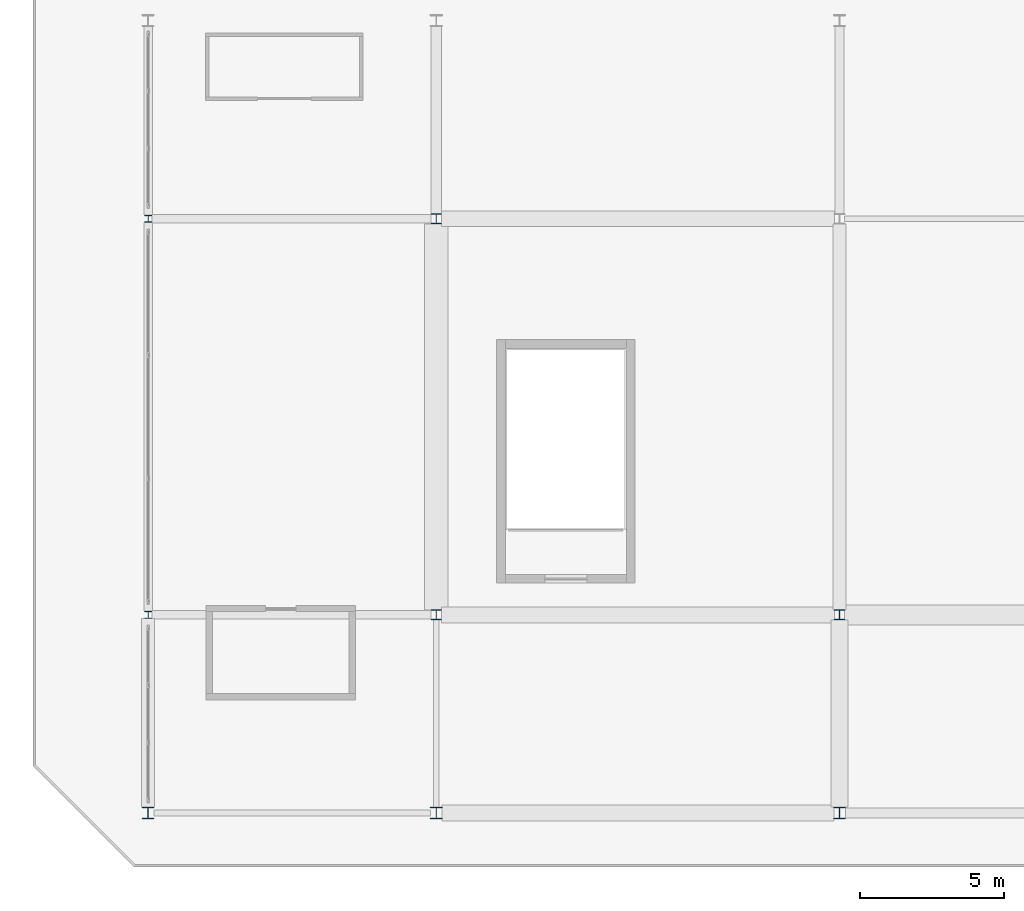
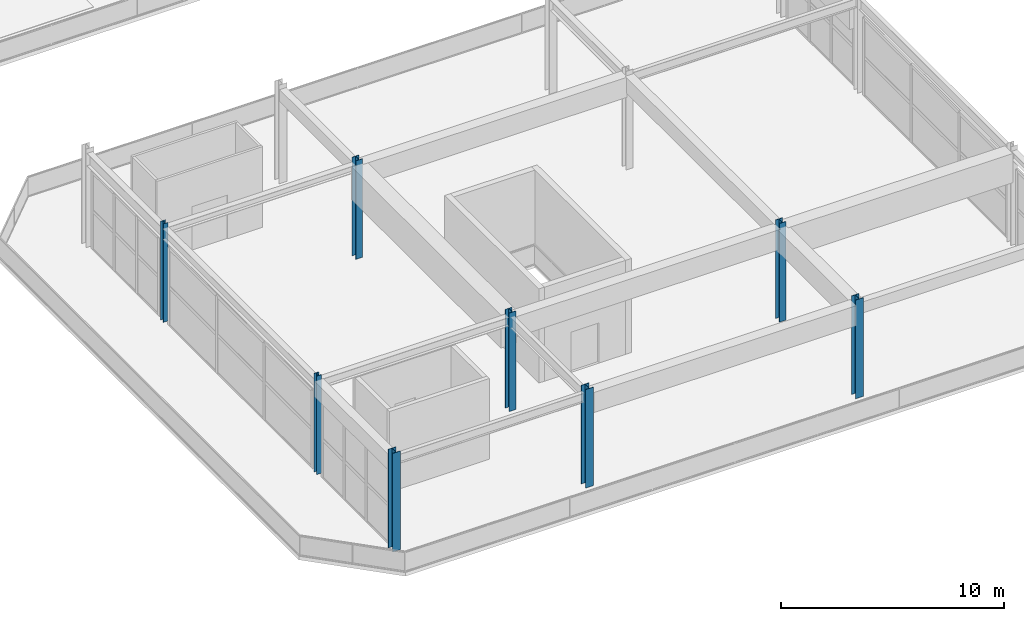
# One storey, part 1 of 117: 8 columns.
"""IFC4 building model written with IfcOpenShell, lengths in metres."""

from ifc_helpers import new_model, si_unit, direction, frame, origin, origin_2d, place, context, subcontext, project, spatial, i_section, extrude, material, material_profile, profile_set, type_object, element, save


model = new_model("IFC4")

# Units and contexts
model_context = context("Model", 3, precision=1e-05, world=origin(), true_north=direction((0.0, 1.0)))
body_context = subcontext(model_context, "Body", "Model", "MODEL_VIEW")
ifc_project = project(units=[si_unit("LENGTHUNIT", "METRE"), si_unit("AREAUNIT", "SQUARE_METRE"), si_unit("VOLUMEUNIT", "CUBIC_METRE"), si_unit("PLANEANGLEUNIT", "RADIAN"), si_unit("MASSUNIT", "GRAM", prefix="KILO")], contexts=[model_context])

# Site, building, storey
site_placement = place(None, origin())
site = spatial("IfcSite", under=ifc_project, at=site_placement, CompositionType="ELEMENT")
building_placement = place(site_placement, origin())
building = spatial("IfcBuilding", under=site, at=building_placement, Name="Linyun Crest Stadium", CompositionType="ELEMENT")
storey_placement = place(building_placement, frame((0.0, 0.0, 6.0)))
storey = spatial("IfcBuildingStorey", under=building, at=storey_placement, Name="L02", CompositionType="ELEMENT", Elevation=6.0)

# Columns
ifc_material_1 = material(Name="Steel Q355C", Category="steel")
ifc_material_profile_1 = material_profile(ifc_material_1, i_section(OverallWidth=0.35009765625, OverallDepth=0.35009765625, WebThickness=0.011962890625, FlangeThickness=0.01904296875, at=origin_2d()), Name="HW 350x350")
ifc_profile_set_1 = profile_set([ifc_material_profile_1], Name="Steel Q355C")
column_type_1 = type_object("IfcColumnType", Name="SC01", PredefinedType="COLUMN", material=ifc_profile_set_1)
for number, where, z_axis, x_axis, name in (
    (1, (-84.0, -87.25, 0.0), (0.0, 0.0, 1.0), (1.0, 0.0, 0.0), "Column SC01 L02 867"),
    (2, (-84.0, -73.5, 0.0), (0.0, 0.0, 1.0), (1.0, 0.0, 0.0), "Column SC01 L02 870"),
    (3, (-70.0, -87.25, 0.0), (0.0, 0.0, 1.0), (1.0, 0.0, 0.0), "Column SC01 L02 879"),
):
    element("IfcColumn", number, at=place(storey_placement, frame(where, z_axis=z_axis, x_axis=x_axis)), inside=storey, type_object=column_type_1, Name=name, PredefinedType="COLUMN", context=body_context, shape_type="SweptSolid", body=[
        extrude(i_section(OverallWidth=0.35009765625, OverallDepth=0.35009765625, WebThickness=0.011962890625, FlangeThickness=0.01904296875, at=origin_2d()), origin(), (0.0, 0.0, 1.0), 5.39990234375),
    ])
ifc_material_2 = material(Name="Steel Q355C", Category="steel")
ifc_material_profile_2 = material_profile(ifc_material_2, i_section(OverallWidth=0.39990234375, OverallDepth=0.39990234375, WebThickness=0.012939453125, FlangeThickness=0.02099609375, at=origin_2d()), Name="HW 400x400")
ifc_profile_set_2 = profile_set([ifc_material_profile_2], Name="Steel Q355C")
column_type_2 = type_object("IfcColumnType", Name="SC02", PredefinedType="COLUMN", material=ifc_profile_set_2)
for number, where, z_axis, x_axis, name in (
    (4, (-94.0, -94.125, 0.0), (0.0, 0.0, 1.0), (1.0, 0.0, 0.0), "Column SC02 L02 852"),
    (5, (-84.0, -94.125, 0.0), (0.0, 0.0, 1.0), (1.0, 0.0, 0.0), "Column SC02 L02 864"),
    (6, (-70.0, -94.125, 0.0), (0.0, 0.0, 1.0), (1.0, 0.0, 0.0), "Column SC02 L02 876"),
):
    element("IfcColumn", number, at=place(storey_placement, frame(where, z_axis=z_axis, x_axis=x_axis)), inside=storey, type_object=column_type_2, Name=name, PredefinedType="COLUMN", context=body_context, shape_type="SweptSolid", body=[
        extrude(i_section(OverallWidth=0.39990234375, OverallDepth=0.39990234375, WebThickness=0.012939453125, FlangeThickness=0.02099609375, at=origin_2d()), origin(), (0.0, 0.0, 1.0), 5.39990234375),
    ])
ifc_material_3 = material(Name="Steel Q355C", Category="steel")
ifc_material_profile_3 = material_profile(ifc_material_3, i_section(OverallWidth=0.25, OverallDepth=0.25, WebThickness=0.009033203125, FlangeThickness=0.013916015625, at=origin_2d()), Name="HW 250x250")
ifc_profile_set_3 = profile_set([ifc_material_profile_3], Name="Steel Q355C")
column_type_3 = type_object("IfcColumnType", Name="SC07", PredefinedType="COLUMN", material=ifc_profile_set_3)
for number, where, z_axis, x_axis, name in (
    (7, (-94.0, -87.25, 0.0), (0.0, 0.0, 1.0), (1.0, 0.0, 0.0), "Column SC07 L02 855"),
    (8, (-94.0, -73.5, 0.0), (0.0, 0.0, 1.0), (1.0, 0.0, 0.0), "Column SC07 L02 858"),
):
    element("IfcColumn", number, at=place(storey_placement, frame(where, z_axis=z_axis, x_axis=x_axis)), inside=storey, type_object=column_type_3, Name=name, PredefinedType="COLUMN", context=body_context, shape_type="SweptSolid", body=[
        extrude(i_section(OverallWidth=0.25, OverallDepth=0.25, WebThickness=0.009033203125, FlangeThickness=0.013916015625, at=origin_2d()), origin(), (0.0, 0.0, 1.0), 5.39990234375),
    ])

save(model, "model.ifc")
